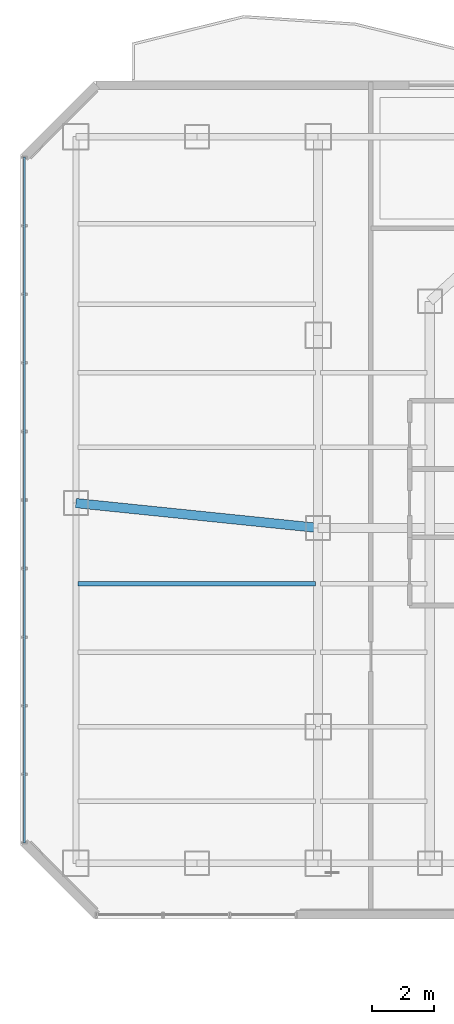
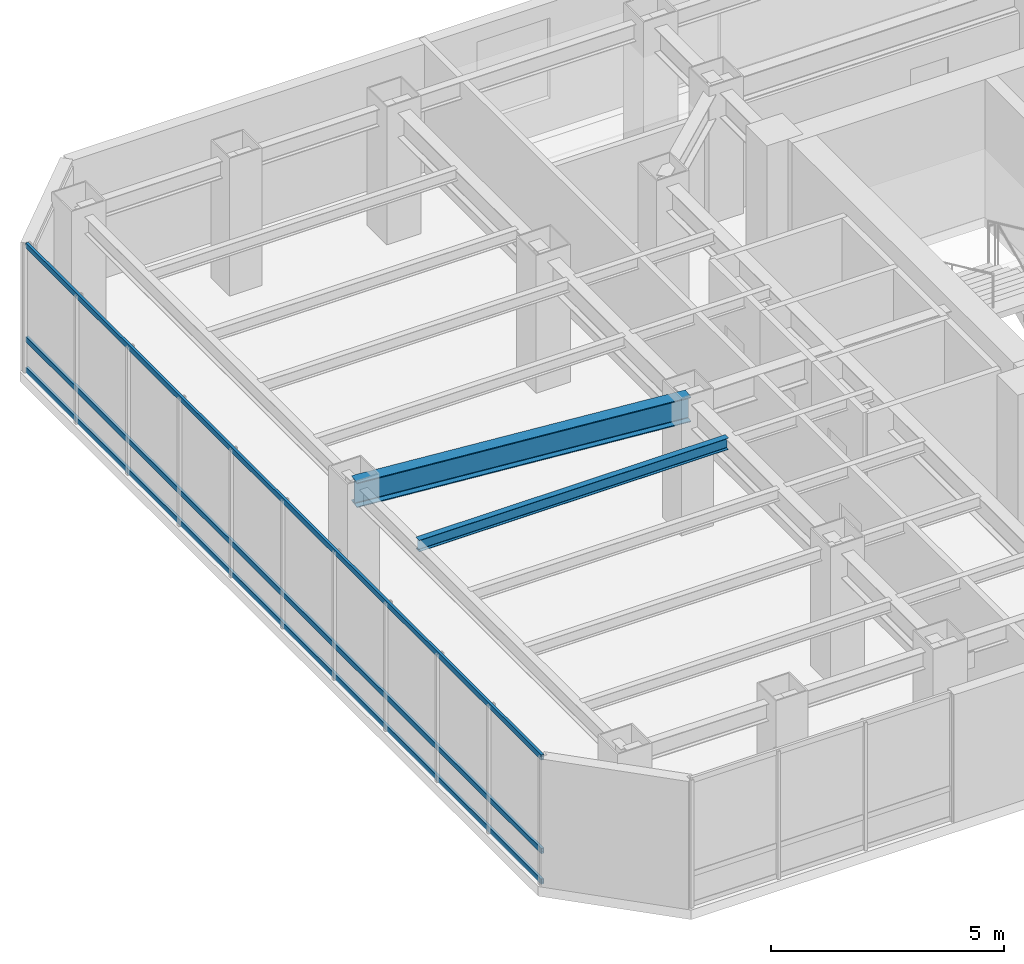
# One storey, part 7 of 26: 3 members, 2 beams, 1 element without a shape of its own.
"""IFC4 building model written with IfcOpenShell, lengths in metres."""

from ifc_helpers import new_model, si_unit, direction, frame, origin, origin_2d, place, context, subcontext, project, spatial, hollow_rectangle, i_section, extrude, material, layer, layer_set, material_profile, profile_set, type_object, element, aggregate, save


model = new_model("IFC4")

# Units and contexts
model_context = context("Model", 3, precision=1e-05, world=origin(), true_north=direction((0.0, 1.0)))
body_context = subcontext(model_context, "Body", "Model", "MODEL_VIEW")
ifc_project = project(units=[si_unit("LENGTHUNIT", "METRE"), si_unit("AREAUNIT", "SQUARE_METRE"), si_unit("VOLUMEUNIT", "CUBIC_METRE"), si_unit("PLANEANGLEUNIT", "RADIAN"), si_unit("MASSUNIT", "GRAM", prefix="KILO")], contexts=[model_context])

# Site, building, storey
site_placement = place(None, origin())
site = spatial("IfcSite", under=ifc_project, at=site_placement, CompositionType="ELEMENT")
building_placement = place(site_placement, origin())
building = spatial("IfcBuilding", under=site, at=building_placement, Name="Hatsunagi Terrace Concourse", CompositionType="ELEMENT")
storey_placement = place(building_placement, frame((0.0, 0.0, 152.85009765625)))
storey = spatial("IfcBuildingStorey", under=building, at=storey_placement, Name="L40", CompositionType="ELEMENT", Elevation=152.85009765625)

# Curtain wall, members
ifc_material_1 = material(Name="Anodised Aluminium Alloy 6063-T5", Category="aluminium")
ifc_layer = layer(ifc_material_1, 0.199951171875)
ifc_layer_set = layer_set([ifc_layer], Name="OfficeZone1_CW03")
curtain_wall_type = type_object("IfcCurtainWallType", Name="OfficeZone1_CW03", PredefinedType="NOTDEFINED", material=ifc_layer_set)
curtain_wall_placement = place(storey_placement, origin())
curtain_wall = element("IfcCurtainWall", 1, at=curtain_wall_placement, inside=storey, type_object=curtain_wall_type, Name="Unitised Curtain Wall CW-03 CW-L40-09", PredefinedType="NOTDEFINED")
ifc_material_2 = material(Name="Anodised Aluminium Alloy 6063-T5", Category="aluminium")
ifc_material_profile_1 = material_profile(ifc_material_2, hollow_rectangle(XDim=0.06494140625, YDim=0.139892578125, WallThickness=0.00390625, at=origin_2d()), Name="ALU-TRN-140x65x4")
ifc_profile_set_1 = profile_set([ifc_material_profile_1], Name="Anodised Aluminium Alloy 6063-T5")
member_type = type_object("IfcMemberType", Name="CurtainWallTransom_140x65", PredefinedType="USERDEFINED", material=ifc_profile_set_1)
member_1_placement = place(storey_placement, frame((9.739990234375, 25.85791015625, 0.0498046875), z_axis=(0.0, 1.0, 0.0), x_axis=(-1.0, 0.0, 0.0)))
member_1 = element("IfcMember", 2, at=member_1_placement, type_object=member_type, Name="Curtain Wall Transom TRN-02", ObjectType="TRANSOM", PredefinedType="USERDEFINED", context=body_context, shape_type="SweptSolid", body=[
    extrude(hollow_rectangle(XDim=0.06494140625, YDim=0.139892578125, WallThickness=0.00390625, at=origin_2d()), origin(), (0.0, 0.0, 1.0), 22.083984375),
])
member_2_placement = place(storey_placement, frame((9.739990234375, 25.85791015625, 0.849853515625), z_axis=(0.0, 1.0, 0.0), x_axis=(-1.0, 0.0, 0.0)))
member_2 = element("IfcMember", 3, at=member_2_placement, type_object=member_type, Name="Curtain Wall Transom TRN-02", ObjectType="TRANSOM", PredefinedType="USERDEFINED", context=body_context, shape_type="SweptSolid", body=[
    extrude(hollow_rectangle(XDim=0.06494140625, YDim=0.139892578125, WallThickness=0.00390625, at=origin_2d()), origin(), (0.0, 0.0, 1.0), 22.083984375),
])
member_3_placement = place(storey_placement, frame((9.739990234375, 25.85791015625, 3.2998046875), z_axis=(0.0, 1.0, 0.0), x_axis=(-1.0, 0.0, 0.0)))
member_3 = element("IfcMember", 4, at=member_3_placement, type_object=member_type, Name="Curtain Wall Transom TRN-02", ObjectType="TRANSOM", PredefinedType="USERDEFINED", context=body_context, shape_type="SweptSolid", body=[
    extrude(hollow_rectangle(XDim=0.06494140625, YDim=0.139892578125, WallThickness=0.00390625, at=origin_2d()), origin(), (0.0, 0.0, 1.0), 22.083984375),
])
aggregate(curtain_wall, [member_1, member_2, member_3])

# Beams
ifc_material_3 = material(Name="Steel SN490B", Category="steel")
ifc_material_profile_2 = material_profile(ifc_material_3, i_section(OverallWidth=0.14990234375, OverallDepth=0.300048828125, WebThickness=0.006591796875, FlangeThickness=0.009033203125, FilletRadius=0.010986328125, at=origin_2d()), Name="H-300x150x6.5x9")
ifc_profile_set_2 = profile_set([ifc_material_profile_2], Name="Steel SN490B")
beam_type_1 = type_object("IfcBeamType", Name="OfficeJoist_H_300x150", PredefinedType="JOIST", material=ifc_profile_set_2)
beam_1_placement = place(storey_placement, frame((11.465087890625, 34.199951171875, 3.199951171875), z_axis=(1.0, 0.0, 0.0), x_axis=(0.0, 1.0, 0.0)))
element("IfcBeam", 5, at=beam_1_placement, inside=storey, type_object=beam_type_1, Name="Beam J-03 J-L40-W-11-342", PredefinedType="JOIST", context=body_context, shape_type="SweptSolid", body=[
    extrude(i_section(OverallWidth=0.14990234375, OverallDepth=0.300048828125, WebThickness=0.006591796875, FlangeThickness=0.009033203125, FilletRadius=0.010986328125, at=origin_2d()), origin(), (0.0, 0.0, 1.0), 7.64990234375),
])
ifc_material_4 = material(Name="Steel SN490B", Category="steel")
ifc_material_profile_3 = material_profile(ifc_material_4, i_section(OverallWidth=0.300048828125, OverallDepth=0.64990234375, WebThickness=0.012939453125, FlangeThickness=0.02197265625, FilletRadius=0.01806640625, at=origin_2d()), Name="H-650x300x13x22")
ifc_profile_set_3 = profile_set([ifc_material_profile_3], Name="Steel SN490B")
beam_type_2 = type_object("IfcBeamType", Name="OfficeLowGirder_H_650x300", PredefinedType="BEAM", material=ifc_profile_set_3)
beam_2_placement = place(storey_placement, frame((11.39990234375, 36.800048828125, 3.02490234375), z_axis=(0.994780871372, -0.102034395927, 0.0), x_axis=(0.102034395927, 0.994780871372, 0.0)))
element("IfcBeam", 6, at=beam_2_placement, inside=storey, type_object=beam_type_2, Name="Beam G-05 BM-L40-EW-2", PredefinedType="BEAM", context=body_context, shape_type="SweptSolid", body=[
    extrude(i_section(OverallWidth=0.300048828125, OverallDepth=0.64990234375, WebThickness=0.012939453125, FlangeThickness=0.02197265625, FilletRadius=0.01806640625, at=origin_2d()), origin(), (0.0, 0.0, 1.0), 7.841064453125),
])

save(model, "model.ifc")
